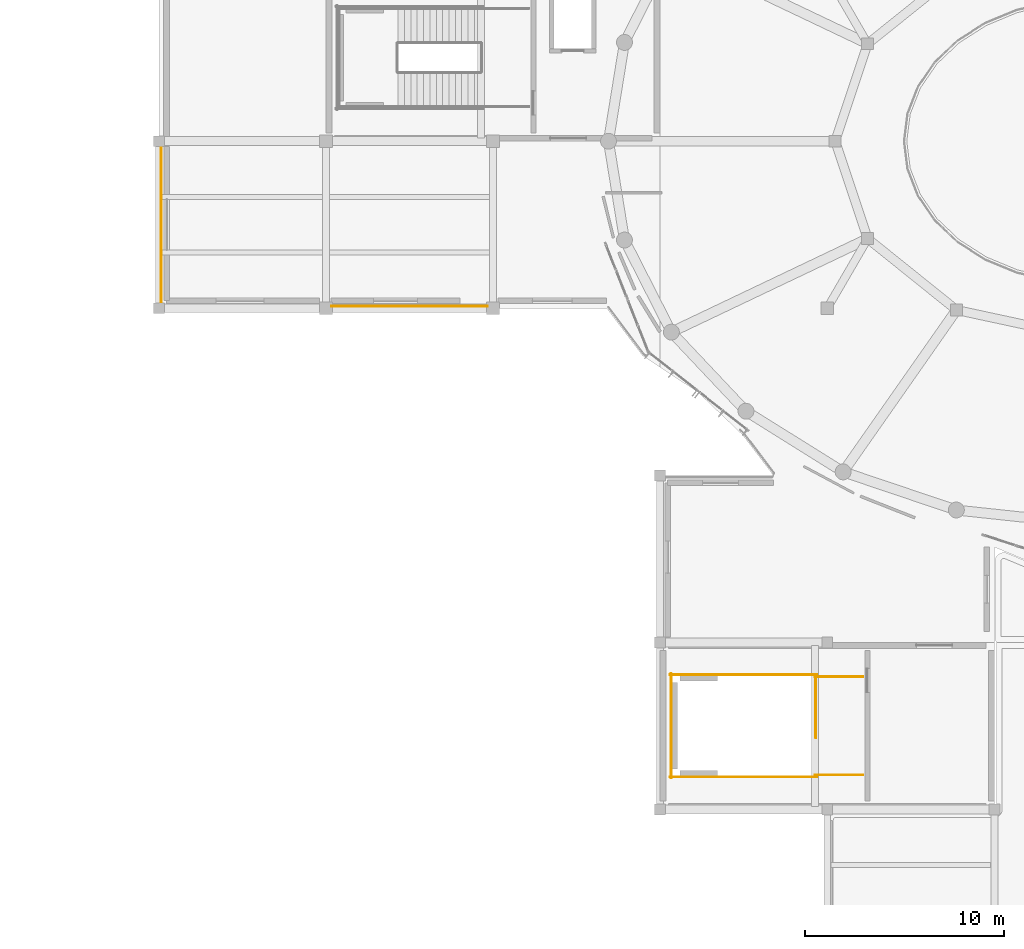
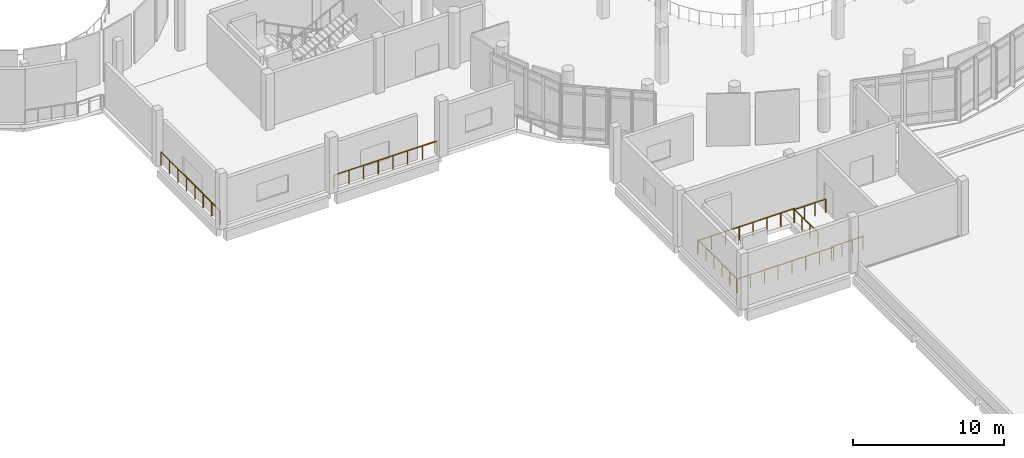
# One storey, part 35 of 46: 8 railings.
"""IFC4 building model written with IfcOpenShell, lengths in metres."""

from ifc_helpers import new_model, si_unit, derived_unit, direction, frame, origin, origin_2d, place, context, subcontext, project, spatial, circle, extrude, material, type_object, element, save


model = new_model("IFC4")

# Units and contexts
model_context = context("Model", 3, precision=1e-05, world=origin(), true_north=direction((0.0, 1.0)))
body_context = subcontext(model_context, "Body", "Model", "MODEL_VIEW")
ifc_project = project(units=[si_unit("LENGTHUNIT", "METRE"), si_unit("AREAUNIT", "SQUARE_METRE"), si_unit("VOLUMEUNIT", "CUBIC_METRE"), si_unit("PLANEANGLEUNIT", "RADIAN"), si_unit("MASSUNIT", "GRAM", prefix="KILO"), derived_unit("THERMALTRANSMITTANCEUNIT", [(si_unit("POWERUNIT", "WATT"), 1), (si_unit("LENGTHUNIT", "METRE"), -2), (si_unit("THERMODYNAMICTEMPERATUREUNIT", "KELVIN"), -1)])], contexts=[model_context])

# Site, building, storey
site_placement = place(None, origin())
site = spatial("IfcSite", under=ifc_project, at=site_placement, CompositionType="ELEMENT")
building_placement = place(site_placement, origin())
building = spatial("IfcBuilding", under=site, at=building_placement, Name="Elbkamm Science Centre", CompositionType="ELEMENT")
storey_placement = place(building_placement, frame((0.0, 0.0, 9.89990234375)))
storey = spatial("IfcBuildingStorey", under=building, at=storey_placement, Name="L02", CompositionType="ELEMENT", Elevation=9.89990234375)

# Railings
ifc_material = material(Name="Stainless steel EN 1.4401", Category="steel")
railing_type_1 = type_object("IfcRailingType", Name="RAIL-EXT-GUARD-1100", PredefinedType="GUARDRAIL", material=ifc_material)
railing_1_placement = place(storey_placement, frame((16.89990234375, 59.080078125, 0.0)))
element("IfcRailing", 1, at=railing_1_placement, inside=storey, type_object=railing_type_1, Name="L02 Slab Edge Perimeter Guard 041", PredefinedType="GUARDRAIL", context=body_context, shape_type="SweptSolid", body=[
    extrude(circle(Radius=0.02392578125, at=origin_2d()), frame((0.0, 0.0, 1.078125), z_axis=(0.0, 1.0, 0.0), x_axis=(-1.0, 0.0, 0.0)), (0.0, 0.0, 1.0), 7.83984375),
    extrude(circle(Radius=0.02001953125, at=origin_2d()), origin(), (0.0, 0.0, 1.0), 1.048095703125),
    extrude(circle(Radius=0.02001953125, at=origin_2d()), frame((0.0, 1.119873046875, 0.0)), (0.0, 0.0, 1.0), 1.048095703125),
    extrude(circle(Radius=0.02001953125, at=origin_2d()), frame((0.0, 2.239990234375, 0.0)), (0.0, 0.0, 1.0), 1.048095703125),
    extrude(circle(Radius=0.02001953125, at=origin_2d()), frame((0.0, 3.35986328125, 0.0)), (0.0, 0.0, 1.0), 1.048095703125),
    extrude(circle(Radius=0.02001953125, at=origin_2d()), frame((0.0, 4.47998046875, 0.0)), (0.0, 0.0, 1.0), 1.048095703125),
    extrude(circle(Radius=0.02001953125, at=origin_2d()), frame((0.0, 5.599853515625, 0.0)), (0.0, 0.0, 1.0), 1.048095703125),
    extrude(circle(Radius=0.02001953125, at=origin_2d()), frame((0.0, 6.719970703125, 0.0)), (0.0, 0.0, 1.0), 1.048095703125),
    extrude(circle(Radius=0.02001953125, at=origin_2d()), frame((0.0, 7.83984375, 0.0)), (0.0, 0.0, 1.0), 1.048095703125),
])
railing_2_placement = place(storey_placement, frame((33.320068359375, 58.89990234375, 0.0)))
element("IfcRailing", 2, at=railing_2_placement, inside=storey, type_object=railing_type_1, Name="L02 Slab Edge Perimeter Guard 068", PredefinedType="GUARDRAIL", context=body_context, shape_type="SweptSolid", body=[
    extrude(circle(Radius=0.02392578125, at=origin_2d()), frame((0.0, 0.0, 1.078125), z_axis=(-1.0, 0.0, 0.0), x_axis=(0.0, -1.0, 0.0)), (0.0, 0.0, 1.0), 7.840087890625),
    extrude(circle(Radius=0.02001953125, at=origin_2d()), origin(), (0.0, 0.0, 1.0), 1.048095703125),
    extrude(circle(Radius=0.02001953125, at=origin_2d()), frame((-1.1201171875, 0.0, 0.0)), (0.0, 0.0, 1.0), 1.048095703125),
    extrude(circle(Radius=0.02001953125, at=origin_2d()), frame((-2.239990234375, 0.0, 0.0)), (0.0, 0.0, 1.0), 1.048095703125),
    extrude(circle(Radius=0.02001953125, at=origin_2d()), frame((-3.360107421875, 0.0, 0.0)), (0.0, 0.0, 1.0), 1.048095703125),
    extrude(circle(Radius=0.02001953125, at=origin_2d()), frame((-4.47998046875, 0.0, 0.0)), (0.0, 0.0, 1.0), 1.048095703125),
    extrude(circle(Radius=0.02001953125, at=origin_2d()), frame((-5.60009765625, 0.0, 0.0)), (0.0, 0.0, 1.0), 1.048095703125),
    extrude(circle(Radius=0.02001953125, at=origin_2d()), frame((-6.719970703125, 0.0, 0.0)), (0.0, 0.0, 1.0), 1.048095703125),
    extrude(circle(Radius=0.02001953125, at=origin_2d()), frame((-7.840087890625, 0.0, 0.0)), (0.0, 0.0, 1.0), 1.048095703125),
])
railing_type_2 = type_object("IfcRailingType", Name="RAIL-GUARD-1100", PredefinedType="GUARDRAIL", material=ifc_material)
railing_3_placement = place(storey_placement, frame((49.830078125, 40.320068359375, 0.0)))
element("IfcRailing", 3, at=railing_3_placement, inside=storey, type_object=railing_type_2, Name="L02 ST-C5 top well guard 1", PredefinedType="GUARDRAIL", context=body_context, shape_type="SweptSolid", body=[
    extrude(circle(Radius=0.02392578125, at=origin_2d()), frame((0.0, 0.0, 1.078125), z_axis=(0.0, -1.0, 0.0), x_axis=(1.0, 0.0, 0.0)), (0.0, 0.0, 1.0), 3.1201171875),
    extrude(circle(Radius=0.02001953125, at=origin_2d()), origin(), (0.0, 0.0, 1.0), 1.048095703125),
    extrude(circle(Radius=0.02001953125, at=origin_2d()), frame((0.0, -1.0400390625, 0.0)), (0.0, 0.0, 1.0), 1.048095703125),
    extrude(circle(Radius=0.02001953125, at=origin_2d()), frame((0.0, -2.080078125, 0.0)), (0.0, 0.0, 1.0), 1.048095703125),
    extrude(circle(Radius=0.02001953125, at=origin_2d()), frame((0.0, -3.1201171875, 0.0)), (0.0, 0.0, 1.0), 1.048095703125),
])
for number, where, name in (
    (4, (49.8798828125, 40.3701171875, 0.0), "L02 ST-C5 top well guard 2"),
    (5, (49.8798828125, 35.22998046875, 0.0), "L02 ST-C5 top well guard 3"),
):
    element("IfcRailing", number, at=place(storey_placement, frame(where)), inside=storey, type_object=railing_type_2, Name=name, PredefinedType="GUARDRAIL", context=body_context, shape_type="SweptSolid", body=[
        extrude(circle(Radius=0.02392578125, at=origin_2d()), frame((0.0, 0.0, 1.078125), z_axis=(-1.0, 0.0, 0.0), x_axis=(0.0, -1.0, 0.0)), (0.0, 0.0, 1.0), 7.3798828125),
        extrude(circle(Radius=0.02001953125, at=origin_2d()), origin(), (0.0, 0.0, 1.0), 1.048095703125),
        extrude(circle(Radius=0.02001953125, at=origin_2d()), frame((-1.05419921875, 0.0, 0.0)), (0.0, 0.0, 1.0), 1.048095703125),
        extrude(circle(Radius=0.02001953125, at=origin_2d()), frame((-2.108642578125, 0.0, 0.0)), (0.0, 0.0, 1.0), 1.048095703125),
        extrude(circle(Radius=0.02001953125, at=origin_2d()), frame((-3.162841796875, 0.0, 0.0)), (0.0, 0.0, 1.0), 1.048095703125),
        extrude(circle(Radius=0.02001953125, at=origin_2d()), frame((-4.217041015625, 0.0, 0.0)), (0.0, 0.0, 1.0), 1.048095703125),
        extrude(circle(Radius=0.02001953125, at=origin_2d()), frame((-5.271240234375, 0.0, 0.0)), (0.0, 0.0, 1.0), 1.048095703125),
        extrude(circle(Radius=0.02001953125, at=origin_2d()), frame((-6.32568359375, 0.0, 0.0)), (0.0, 0.0, 1.0), 1.048095703125),
        extrude(circle(Radius=0.02001953125, at=origin_2d()), frame((-7.3798828125, 0.0, 0.0)), (0.0, 0.0, 1.0), 1.048095703125),
    ])
railing_4_placement = place(storey_placement, frame((42.550048828125, 40.419921875, 0.0)))
element("IfcRailing", 6, at=railing_4_placement, inside=storey, type_object=railing_type_2, Name="L02 ST-C5 top well guard 4", PredefinedType="GUARDRAIL", context=body_context, shape_type="SweptSolid", body=[
    extrude(circle(Radius=0.02392578125, at=origin_2d()), frame((0.0, 0.0, 1.078125), z_axis=(0.0, -1.0, 0.0), x_axis=(1.0, 0.0, 0.0)), (0.0, 0.0, 1.0), 5.239990234375),
    extrude(circle(Radius=0.02001953125, at=origin_2d()), origin(), (0.0, 0.0, 1.0), 1.048095703125),
    extrude(circle(Radius=0.02001953125, at=origin_2d()), frame((0.0, -1.048095703125, 0.0)), (0.0, 0.0, 1.0), 1.048095703125),
    extrude(circle(Radius=0.02001953125, at=origin_2d()), frame((0.0, -2.095947265625, 0.0)), (0.0, 0.0, 1.0), 1.048095703125),
    extrude(circle(Radius=0.02001953125, at=origin_2d()), frame((0.0, -3.14404296875, 0.0)), (0.0, 0.0, 1.0), 1.048095703125),
    extrude(circle(Radius=0.02001953125, at=origin_2d()), frame((0.0, -4.19189453125, 0.0)), (0.0, 0.0, 1.0), 1.048095703125),
    extrude(circle(Radius=0.02001953125, at=origin_2d()), frame((0.0, -5.239990234375, 0.0)), (0.0, 0.0, 1.0), 1.048095703125),
])
for number, where, name in (
    (7, (52.199951171875, 40.27001953125, 0.0), "L02 ST-C5 top well guard 5"),
    (8, (52.199951171875, 35.330078125, 0.0), "L02 ST-C5 top well guard 6"),
):
    element("IfcRailing", number, at=place(storey_placement, frame(where)), inside=storey, type_object=railing_type_2, Name=name, PredefinedType="GUARDRAIL", context=body_context, shape_type="SweptSolid", body=[
        extrude(circle(Radius=0.02392578125, at=origin_2d()), frame((0.0, 0.0, 1.078125), z_axis=(-1.0, 0.0, 0.0), x_axis=(0.0, -1.0, 0.0)), (0.0, 0.0, 1.0), 2.419921875),
        extrude(circle(Radius=0.02001953125, at=origin_2d()), origin(), (0.0, 0.0, 1.0), 1.048095703125),
        extrude(circle(Radius=0.02001953125, at=origin_2d()), frame((-0.806640625, 0.0, 0.0)), (0.0, 0.0, 1.0), 1.048095703125),
        extrude(circle(Radius=0.02001953125, at=origin_2d()), frame((-1.61328125, 0.0, 0.0)), (0.0, 0.0, 1.0), 1.048095703125),
        extrude(circle(Radius=0.02001953125, at=origin_2d()), frame((-2.419921875, 0.0, 0.0)), (0.0, 0.0, 1.0), 1.048095703125),
    ])

save(model, "model.ifc")
